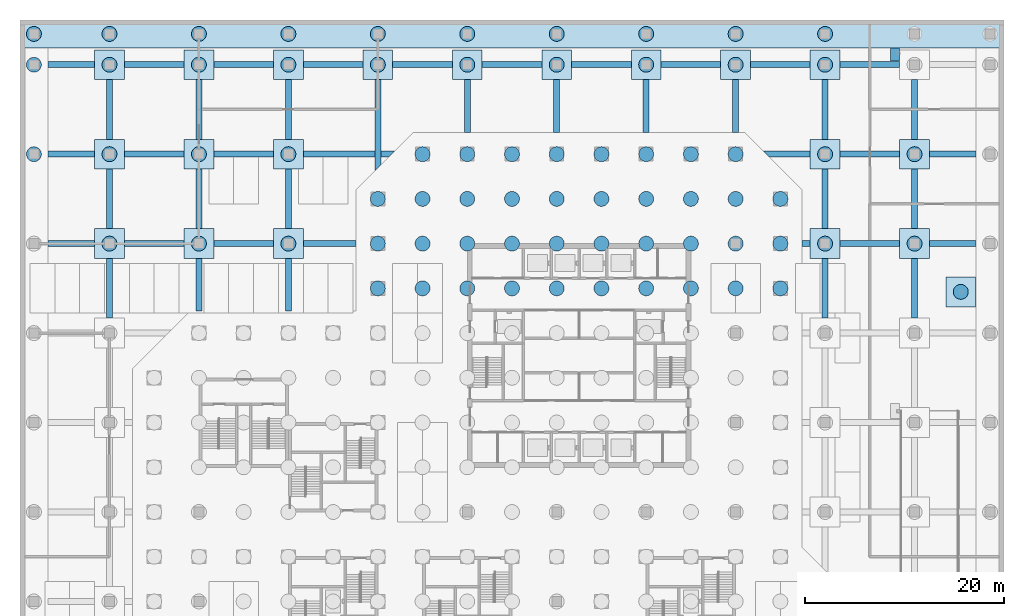
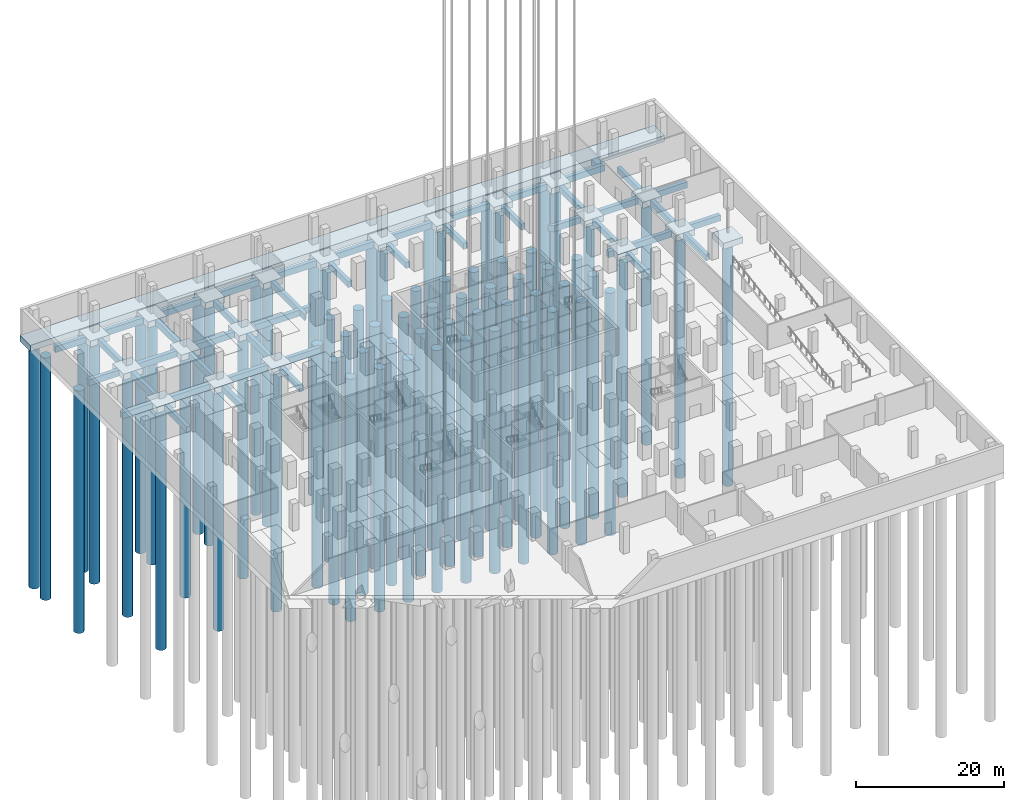
# One storey, part 3 of 37: 70 piles, 67 footings.
"""IFC4 building model written with IfcOpenShell, lengths in metres."""

from ifc_helpers import new_model, si_unit, direction, frame, origin, origin_2d, place, context, subcontext, project, spatial, polyline, rectangle, circle, outline, extrude, material, layer, layer_set, material_profile, profile_set, type_object, element, save


model = new_model("IFC4")

# Units and contexts
model_context = context("Model", 3, precision=1e-05, world=origin(), true_north=direction((0.0, 1.0)))
body_context = subcontext(model_context, "Body", "Model", "MODEL_VIEW")
ifc_project = project(units=[si_unit("LENGTHUNIT", "METRE"), si_unit("AREAUNIT", "SQUARE_METRE"), si_unit("VOLUMEUNIT", "CUBIC_METRE"), si_unit("PLANEANGLEUNIT", "RADIAN"), si_unit("MASSUNIT", "GRAM", prefix="KILO")], contexts=[model_context])

# Site, building, storey
site_placement = place(None, origin())
site = spatial("IfcSite", under=ifc_project, at=site_placement, CompositionType="ELEMENT")
building_placement = place(site_placement, origin())
building = spatial("IfcBuilding", under=site, at=building_placement, Name="Quoin Convention Tower", CompositionType="ELEMENT")
storey_placement = place(building_placement, frame((0.0, 0.0, -9.0)))
storey = spatial("IfcBuildingStorey", under=building, at=storey_placement, Name="B2", CompositionType="ELEMENT", Elevation=-9.0)

# Footings
ifc_material_1 = material(Name="Concrete C50", Category="concrete")
footing_type_1 = type_object("IfcFootingType", Name="PILE CAP 3000x3000x1000 C50", PredefinedType="PILE_CAP", material=ifc_material_1)
for number, where, z_axis, x_axis, name in (
    (1, (9.0, 72.0, -1.39990234375), (0.0, 0.0, 1.0), (1.0, 0.0, 0.0), "ftg-pad-9000_72000"),
    (2, (9.0, 81.0, -1.39990234375), (0.0, 0.0, 1.0), (1.0, 0.0, 0.0), "ftg-pad-9000_81000"),
    (3, (9.0, 90.0, -1.39990234375), (0.0, 0.0, 1.0), (1.0, 0.0, 0.0), "ftg-pad-9000_90000"),
    (4, (18.0, 72.0, -1.39990234375), (0.0, 0.0, 1.0), (1.0, 0.0, 0.0), "ftg-pad-18000_72000"),
    (5, (18.0, 81.0, -1.39990234375), (0.0, 0.0, 1.0), (1.0, 0.0, 0.0), "ftg-pad-18000_81000"),
    (6, (18.0, 90.0, -1.39990234375), (0.0, 0.0, 1.0), (1.0, 0.0, 0.0), "ftg-pad-18000_90000"),
    (7, (27.0, 72.0, -1.39990234375), (0.0, 0.0, 1.0), (1.0, 0.0, 0.0), "ftg-pad-27000_72000"),
    (8, (27.0, 81.0, -1.39990234375), (0.0, 0.0, 1.0), (1.0, 0.0, 0.0), "ftg-pad-27000_81000"),
    (9, (27.0, 90.0, -1.39990234375), (0.0, 0.0, 1.0), (1.0, 0.0, 0.0), "ftg-pad-27000_90000"),
    (10, (36.0, 90.0, -1.39990234375), (0.0, 0.0, 1.0), (1.0, 0.0, 0.0), "ftg-pad-36000_90000"),
    (11, (45.0, 90.0, -1.39990234375), (0.0, 0.0, 1.0), (1.0, 0.0, 0.0), "ftg-pad-45000_90000"),
    (12, (54.0, 90.0, -1.39990234375), (0.0, 0.0, 1.0), (1.0, 0.0, 0.0), "ftg-pad-54000_90000"),
    (13, (63.0, 90.0, -1.39990234375), (0.0, 0.0, 1.0), (1.0, 0.0, 0.0), "ftg-pad-63000_90000"),
    (14, (72.0, 90.0, -1.39990234375), (0.0, 0.0, 1.0), (1.0, 0.0, 0.0), "ftg-pad-72000_90000"),
    (15, (81.0, 72.0, -1.39990234375), (0.0, 0.0, 1.0), (1.0, 0.0, 0.0), "ftg-pad-81000_72000"),
    (16, (81.0, 81.0, -1.39990234375), (0.0, 0.0, 1.0), (1.0, 0.0, 0.0), "ftg-pad-81000_81000"),
    (17, (81.0, 90.0, -1.39990234375), (0.0, 0.0, 1.0), (1.0, 0.0, 0.0), "ftg-pad-81000_90000"),
    (18, (90.0, 72.0, -1.39990234375), (0.0, 0.0, 1.0), (1.0, 0.0, 0.0), "ftg-pad-90000_72000"),
    (19, (90.0, 81.0, -1.39990234375), (0.0, 0.0, 1.0), (1.0, 0.0, 0.0), "ftg-pad-90000_81000"),
    (20, (94.64990234375, 67.14990234375, -1.39990234375), (0.0, 0.0, 1.0), (1.0, 0.0, 0.0), "ftg-pad-rp1lo"),
):
    element("IfcFooting", number, at=place(storey_placement, frame(where, z_axis=z_axis, x_axis=x_axis)), inside=storey, type_object=footing_type_1, Name=name, PredefinedType="PILE_CAP", context=body_context, shape_type="SweptSolid", body=[
        extrude(rectangle(XDim=3.0, YDim=3.0, at=origin_2d()), origin(), (0.0, 0.0, 1.0), 1.0),
    ])

# Piles
ifc_material_2 = material(Name="Concrete C40", Category="concrete")
ifc_material_profile = material_profile(ifc_material_2, circle(Radius=0.75, at=origin_2d()), Name="D1500")
ifc_profile_set = profile_set([ifc_material_profile], Name="Concrete C40")
pile_type = type_object("IfcPileType", Name="PILE D1500 C40", PredefinedType="BORED", material=ifc_profile_set)
for number, where, z_axis, x_axis, name in (
    (21, (36.0, 67.5, -3.39990234375), (0.0, 0.0, -1.0), (1.0, 0.0, 0.0), "pile-R36000_67500"),
    (22, (36.0, 72.0, -3.39990234375), (0.0, 0.0, -1.0), (1.0, 0.0, 0.0), "pile-R36000_72000"),
    (23, (36.0, 76.5, -3.39990234375), (0.0, 0.0, -1.0), (1.0, 0.0, 0.0), "pile-R36000_76500"),
    (24, (40.5, 67.5, -3.39990234375), (0.0, 0.0, -1.0), (1.0, 0.0, 0.0), "pile-R40500_67500"),
    (25, (40.5, 72.0, -3.39990234375), (0.0, 0.0, -1.0), (1.0, 0.0, 0.0), "pile-R40500_72000"),
    (26, (40.5, 76.5, -3.39990234375), (0.0, 0.0, -1.0), (1.0, 0.0, 0.0), "pile-R40500_76500"),
    (27, (40.5, 81.0, -3.39990234375), (0.0, 0.0, -1.0), (1.0, 0.0, 0.0), "pile-R40500_81000"),
    (28, (45.0, 67.5, -3.39990234375), (0.0, 0.0, -1.0), (1.0, 0.0, 0.0), "pile-R45000_67500"),
    (29, (45.0, 72.0, -3.39990234375), (0.0, 0.0, -1.0), (1.0, 0.0, 0.0), "pile-R45000_72000"),
    (30, (45.0, 76.5, -3.39990234375), (0.0, 0.0, -1.0), (1.0, 0.0, 0.0), "pile-R45000_76500"),
    (31, (45.0, 81.0, -3.39990234375), (0.0, 0.0, -1.0), (1.0, 0.0, 0.0), "pile-R45000_81000"),
    (32, (49.5, 67.5, -3.39990234375), (0.0, 0.0, -1.0), (1.0, 0.0, 0.0), "pile-R49500_67500"),
    (33, (49.5, 72.0, -3.39990234375), (0.0, 0.0, -1.0), (1.0, 0.0, 0.0), "pile-R49500_72000"),
    (34, (49.5, 76.5, -3.39990234375), (0.0, 0.0, -1.0), (1.0, 0.0, 0.0), "pile-R49500_76500"),
    (35, (49.5, 81.0, -3.39990234375), (0.0, 0.0, -1.0), (1.0, 0.0, 0.0), "pile-R49500_81000"),
    (36, (54.0, 67.5, -3.39990234375), (0.0, 0.0, -1.0), (1.0, 0.0, 0.0), "pile-R54000_67500"),
    (37, (54.0, 72.0, -3.39990234375), (0.0, 0.0, -1.0), (1.0, 0.0, 0.0), "pile-R54000_72000"),
    (38, (54.0, 76.5, -3.39990234375), (0.0, 0.0, -1.0), (1.0, 0.0, 0.0), "pile-R54000_76500"),
    (39, (54.0, 81.0, -3.39990234375), (0.0, 0.0, -1.0), (1.0, 0.0, 0.0), "pile-R54000_81000"),
    (40, (58.5, 67.5, -3.39990234375), (0.0, 0.0, -1.0), (1.0, 0.0, 0.0), "pile-R58500_67500"),
    (41, (58.5, 72.0, -3.39990234375), (0.0, 0.0, -1.0), (1.0, 0.0, 0.0), "pile-R58500_72000"),
    (42, (58.5, 76.5, -3.39990234375), (0.0, 0.0, -1.0), (1.0, 0.0, 0.0), "pile-R58500_76500"),
    (43, (58.5, 81.0, -3.39990234375), (0.0, 0.0, -1.0), (1.0, 0.0, 0.0), "pile-R58500_81000"),
    (44, (63.0, 67.5, -3.39990234375), (0.0, 0.0, -1.0), (1.0, 0.0, 0.0), "pile-R63000_67500"),
    (45, (63.0, 72.0, -3.39990234375), (0.0, 0.0, -1.0), (1.0, 0.0, 0.0), "pile-R63000_72000"),
    (46, (63.0, 76.5, -3.39990234375), (0.0, 0.0, -1.0), (1.0, 0.0, 0.0), "pile-R63000_76500"),
    (47, (63.0, 81.0, -3.39990234375), (0.0, 0.0, -1.0), (1.0, 0.0, 0.0), "pile-R63000_81000"),
    (48, (67.5, 67.5, -3.39990234375), (0.0, 0.0, -1.0), (1.0, 0.0, 0.0), "pile-R67500_67500"),
    (49, (67.5, 72.0, -3.39990234375), (0.0, 0.0, -1.0), (1.0, 0.0, 0.0), "pile-R67500_72000"),
    (50, (67.5, 76.5, -3.39990234375), (0.0, 0.0, -1.0), (1.0, 0.0, 0.0), "pile-R67500_76500"),
    (51, (67.5, 81.0, -3.39990234375), (0.0, 0.0, -1.0), (1.0, 0.0, 0.0), "pile-R67500_81000"),
    (52, (72.0, 67.5, -3.39990234375), (0.0, 0.0, -1.0), (1.0, 0.0, 0.0), "pile-R72000_67500"),
    (53, (72.0, 72.0, -3.39990234375), (0.0, 0.0, -1.0), (1.0, 0.0, 0.0), "pile-R72000_72000"),
    (54, (72.0, 76.5, -3.39990234375), (0.0, 0.0, -1.0), (1.0, 0.0, 0.0), "pile-R72000_76500"),
    (55, (72.0, 81.0, -3.39990234375), (0.0, 0.0, -1.0), (1.0, 0.0, 0.0), "pile-R72000_81000"),
    (56, (76.5, 67.5, -3.39990234375), (0.0, 0.0, -1.0), (1.0, 0.0, 0.0), "pile-R76500_67500"),
    (57, (76.5, 72.0, -3.39990234375), (0.0, 0.0, -1.0), (1.0, 0.0, 0.0), "pile-R76500_72000"),
    (58, (76.5, 76.5, -3.39990234375), (0.0, 0.0, -1.0), (1.0, 0.0, 0.0), "pile-R76500_76500"),
    (59, (1.39990234375, 81.0, -1.39990234375), (0.0, 0.0, -1.0), (1.0, 0.0, 0.0), "pile-E1400_81000"),
    (60, (1.39990234375, 90.0, -1.39990234375), (0.0, 0.0, -1.0), (1.0, 0.0, 0.0), "pile-E1400_90000"),
    (61, (1.39990234375, 93.10009765625, -1.39990234375), (0.0, 0.0, -1.0), (1.0, 0.0, 0.0), "pile-E1400_93100"),
    (62, (9.0, 93.10009765625, -1.39990234375), (0.0, 0.0, -1.0), (1.0, 0.0, 0.0), "pile-E9000_93100"),
    (63, (18.0, 93.10009765625, -1.39990234375), (0.0, 0.0, -1.0), (1.0, 0.0, 0.0), "pile-E18000_93100"),
    (64, (27.0, 93.10009765625, -1.39990234375), (0.0, 0.0, -1.0), (1.0, 0.0, 0.0), "pile-E27000_93100"),
    (65, (36.0, 93.10009765625, -1.39990234375), (0.0, 0.0, -1.0), (1.0, 0.0, 0.0), "pile-E36000_93100"),
    (66, (45.0, 93.10009765625, -1.39990234375), (0.0, 0.0, -1.0), (1.0, 0.0, 0.0), "pile-E45000_93100"),
    (67, (54.0, 93.10009765625, -1.39990234375), (0.0, 0.0, -1.0), (1.0, 0.0, 0.0), "pile-E54000_93100"),
    (68, (63.0, 93.10009765625, -1.39990234375), (0.0, 0.0, -1.0), (1.0, 0.0, 0.0), "pile-E63000_93100"),
    (69, (72.0, 93.10009765625, -1.39990234375), (0.0, 0.0, -1.0), (1.0, 0.0, 0.0), "pile-E72000_93100"),
    (70, (81.0, 93.10009765625, -1.39990234375), (0.0, 0.0, -1.0), (1.0, 0.0, 0.0), "pile-E81000_93100"),
    (71, (9.0, 72.0, -1.39990234375), (0.0, 0.0, -1.0), (1.0, 0.0, 0.0), "pile-P9000_72000"),
    (72, (9.0, 81.0, -1.39990234375), (0.0, 0.0, -1.0), (1.0, 0.0, 0.0), "pile-P9000_81000"),
    (73, (9.0, 90.0, -1.39990234375), (0.0, 0.0, -1.0), (1.0, 0.0, 0.0), "pile-P9000_90000"),
    (74, (18.0, 72.0, -1.39990234375), (0.0, 0.0, -1.0), (1.0, 0.0, 0.0), "pile-P18000_72000"),
    (75, (18.0, 81.0, -1.39990234375), (0.0, 0.0, -1.0), (1.0, 0.0, 0.0), "pile-P18000_81000"),
    (76, (18.0, 90.0, -1.39990234375), (0.0, 0.0, -1.0), (1.0, 0.0, 0.0), "pile-P18000_90000"),
    (77, (27.0, 72.0, -1.39990234375), (0.0, 0.0, -1.0), (1.0, 0.0, 0.0), "pile-P27000_72000"),
    (78, (27.0, 81.0, -1.39990234375), (0.0, 0.0, -1.0), (1.0, 0.0, 0.0), "pile-P27000_81000"),
    (79, (27.0, 90.0, -1.39990234375), (0.0, 0.0, -1.0), (1.0, 0.0, 0.0), "pile-P27000_90000"),
    (80, (36.0, 90.0, -1.39990234375), (0.0, 0.0, -1.0), (1.0, 0.0, 0.0), "pile-P36000_90000"),
    (81, (45.0, 90.0, -1.39990234375), (0.0, 0.0, -1.0), (1.0, 0.0, 0.0), "pile-P45000_90000"),
    (82, (54.0, 90.0, -1.39990234375), (0.0, 0.0, -1.0), (1.0, 0.0, 0.0), "pile-P54000_90000"),
    (83, (63.0, 90.0, -1.39990234375), (0.0, 0.0, -1.0), (1.0, 0.0, 0.0), "pile-P63000_90000"),
    (84, (72.0, 90.0, -1.39990234375), (0.0, 0.0, -1.0), (1.0, 0.0, 0.0), "pile-P72000_90000"),
    (85, (81.0, 72.0, -1.39990234375), (0.0, 0.0, -1.0), (1.0, 0.0, 0.0), "pile-P81000_72000"),
    (86, (81.0, 81.0, -1.39990234375), (0.0, 0.0, -1.0), (1.0, 0.0, 0.0), "pile-P81000_81000"),
    (87, (81.0, 90.0, -1.39990234375), (0.0, 0.0, -1.0), (1.0, 0.0, 0.0), "pile-P81000_90000"),
    (88, (90.0, 72.0, -1.39990234375), (0.0, 0.0, -1.0), (1.0, 0.0, 0.0), "pile-P90000_72000"),
    (89, (90.0, 81.0, -1.39990234375), (0.0, 0.0, -1.0), (1.0, 0.0, 0.0), "pile-P90000_81000"),
    (90, (94.64990234375, 67.14990234375, -1.39990234375), (0.0, 0.0, -1.0), (1.0, 0.0, 0.0), "pile-Prp1lo"),
):
    element("IfcPile", number, at=place(storey_placement, frame(where, z_axis=z_axis, x_axis=x_axis)), inside=storey, type_object=pile_type, Name=name, PredefinedType="BORED", context=body_context, shape_type="SweptSolid", body=[
        extrude(circle(Radius=0.75, at=origin_2d()), origin(), (0.0, 0.0, 1.0), 40.0),
    ])

# Footings
footing_type_2 = type_object("IfcFootingType", Name="POST FOOTING 900x1300x1000 C50", PredefinedType="PILE_CAP", material=ifc_material_1)
footing_1_placement = place(storey_placement, frame((88.050048828125, 91.050048828125, -1.39990234375), z_axis=(0.0, 0.0, 1.0), x_axis=(1.0, 0.0, 0.0)))
element("IfcFooting", 91, at=footing_1_placement, inside=storey, type_object=footing_type_2, Name="ftg-post-rp1hi", PredefinedType="PILE_CAP", context=body_context, shape_type="SweptSolid", body=[
    extrude(rectangle(XDim=0.89990234375, YDim=1.300048828125, at=origin_2d()), origin(), (0.0, 0.0, 1.0), 1.0),
])
ifc_layer_1 = layer(ifc_material_1, 1.0)
ifc_layer_set_1 = layer_set([ifc_layer_1], Name="Concrete C50")
footing_type_3 = type_object("IfcFootingType", Name="STRIP FOOTING 2800 C50", PredefinedType="STRIP_FOOTING", material=ifc_layer_set_1)
footing_2_placement = place(storey_placement, frame((0.0, 0.0, -1.39990234375)))
element("IfcFooting", 92, at=footing_2_placement, inside=storey, type_object=footing_type_3, Name="ftg-strip-N", PredefinedType="STRIP_FOOTING", context=body_context, shape_type="SweptSolid", body=[
    extrude(outline(polyline([(0.0, 91.699951171875), (99.0, 91.699951171875), (99.0, 94.5), (0.0, 94.5), (0.0, 91.699951171875)])), origin(), (0.0, 0.0, 1.0), 1.0),
])
ifc_layer_2 = layer(ifc_material_1, 1.0)
ifc_layer_set_2 = layer_set([ifc_layer_2], Name="Concrete C50")
footing_type_4 = type_object("IfcFootingType", Name="TIE FOOTING 600 C50", PredefinedType="STRIP_FOOTING", material=ifc_layer_set_2)
footing_3_placement = place(storey_placement, frame((0.0, 0.0, -1.39990234375)))
element("IfcFooting", 93, at=footing_3_placement, inside=storey, type_object=footing_type_4, Name="ftg-tie-9000_67500", PredefinedType="STRIP_FOOTING", context=body_context, shape_type="SweptSolid", body=[
    extrude(outline(polyline([(9.300048828125, 70.5), (9.300048828125, 64.5), (8.699951171875, 64.5), (8.699951171875, 70.5), (9.300048828125, 70.5)])), origin(), (0.0, 0.0, 1.0), 1.0),
])
footing_4_placement = place(storey_placement, frame((0.0, 0.0, -1.39990234375)))
element("IfcFooting", 94, at=footing_4_placement, inside=storey, type_object=footing_type_4, Name="ftg-tie-9000_76500", PredefinedType="STRIP_FOOTING", context=body_context, shape_type="SweptSolid", body=[
    extrude(outline(polyline([(9.300048828125, 79.5), (9.300048828125, 73.5), (8.699951171875, 73.5), (8.699951171875, 79.5), (9.300048828125, 79.5)])), origin(), (0.0, 0.0, 1.0), 1.0),
])
footing_5_placement = place(storey_placement, frame((0.0, 0.0, -1.39990234375)))
element("IfcFooting", 95, at=footing_5_placement, inside=storey, type_object=footing_type_4, Name="ftg-tie-9000_85500", PredefinedType="STRIP_FOOTING", context=body_context, shape_type="SweptSolid", body=[
    extrude(outline(polyline([(9.300048828125, 88.5), (9.300048828125, 82.5), (8.699951171875, 82.5), (8.699951171875, 88.5), (9.300048828125, 88.5)])), origin(), (0.0, 0.0, 1.0), 1.0),
])
footing_6_placement = place(storey_placement, frame((0.0, 0.0, -1.39990234375)))
element("IfcFooting", 96, at=footing_6_placement, inside=storey, type_object=footing_type_4, Name="ftg-tie-18000_67850", PredefinedType="STRIP_FOOTING", context=body_context, shape_type="SweptSolid", body=[
    extrude(outline(polyline([(17.699951171875, 65.199951171875), (17.699951171875, 70.5), (18.300048828125, 70.5), (18.300048828125, 65.199951171875), (17.699951171875, 65.199951171875)])), origin(), (0.0, 0.0, 1.0), 1.0),
])
footing_7_placement = place(storey_placement, frame((0.0, 0.0, -1.39990234375)))
element("IfcFooting", 97, at=footing_7_placement, inside=storey, type_object=footing_type_4, Name="ftg-tie-18000_76500", PredefinedType="STRIP_FOOTING", context=body_context, shape_type="SweptSolid", body=[
    extrude(outline(polyline([(17.699951171875, 73.5), (17.699951171875, 79.5), (18.300048828125, 79.5), (18.300048828125, 73.5), (17.699951171875, 73.5)])), origin(), (0.0, 0.0, 1.0), 1.0),
])
footing_8_placement = place(storey_placement, frame((0.0, 0.0, -1.39990234375)))
element("IfcFooting", 98, at=footing_8_placement, inside=storey, type_object=footing_type_4, Name="ftg-tie-18000_85500", PredefinedType="STRIP_FOOTING", context=body_context, shape_type="SweptSolid", body=[
    extrude(outline(polyline([(17.699951171875, 82.5), (17.699951171875, 88.5), (18.300048828125, 88.5), (18.300048828125, 82.5), (17.699951171875, 82.5)])), origin(), (0.0, 0.0, 1.0), 1.0),
])
footing_9_placement = place(storey_placement, frame((0.0, 0.0, -1.39990234375)))
element("IfcFooting", 99, at=footing_9_placement, inside=storey, type_object=footing_type_4, Name="ftg-tie-27000_67850", PredefinedType="STRIP_FOOTING", context=body_context, shape_type="SweptSolid", body=[
    extrude(outline(polyline([(26.699951171875, 70.5), (27.300048828125, 70.5), (27.300048828125, 65.199951171875), (26.699951171875, 65.199951171875), (26.699951171875, 70.5)])), origin(), (0.0, 0.0, 1.0), 1.0),
])
footing_10_placement = place(storey_placement, frame((0.0, 0.0, -1.39990234375)))
element("IfcFooting", 100, at=footing_10_placement, inside=storey, type_object=footing_type_4, Name="ftg-tie-27000_76500", PredefinedType="STRIP_FOOTING", context=body_context, shape_type="SweptSolid", body=[
    extrude(outline(polyline([(26.699951171875, 79.5), (27.300048828125, 79.5), (27.300048828125, 73.5), (26.699951171875, 73.5), (26.699951171875, 79.5)])), origin(), (0.0, 0.0, 1.0), 1.0),
])
footing_11_placement = place(storey_placement, frame((0.0, 0.0, -1.39990234375)))
element("IfcFooting", 101, at=footing_11_placement, inside=storey, type_object=footing_type_4, Name="ftg-tie-27000_85500", PredefinedType="STRIP_FOOTING", context=body_context, shape_type="SweptSolid", body=[
    extrude(outline(polyline([(26.699951171875, 88.5), (27.300048828125, 88.5), (27.300048828125, 82.5), (26.699951171875, 82.5), (26.699951171875, 88.5)])), origin(), (0.0, 0.0, 1.0), 1.0),
])
footing_12_placement = place(storey_placement, frame((0.0, 0.0, -1.39990234375)))
element("IfcFooting", 102, at=footing_12_placement, inside=storey, type_object=footing_type_4, Name="ftg-tie-35997_84054", PredefinedType="STRIP_FOOTING", context=body_context, shape_type="SweptSolid", body=[
    extrude(outline(polyline([(36.300048828125, 88.5), (36.300048828125, 79.911376953125), (35.699951171875, 79.311279296875), (35.699951171875, 88.5), (36.300048828125, 88.5)])), origin(), (0.0, 0.0, 1.0), 1.0),
])
footing_13_placement = place(storey_placement, frame((0.0, 0.0, -1.39990234375)))
element("IfcFooting", 103, at=footing_13_placement, inside=storey, type_object=footing_type_4, Name="ftg-tie-45000_85850", PredefinedType="STRIP_FOOTING", context=body_context, shape_type="SweptSolid", body=[
    extrude(outline(polyline([(45.300048828125, 88.5), (45.300048828125, 83.199951171875), (44.699951171875, 83.199951171875), (44.699951171875, 88.5), (45.300048828125, 88.5)])), origin(), (0.0, 0.0, 1.0), 1.0),
])
footing_14_placement = place(storey_placement, frame((0.0, 0.0, -1.39990234375)))
element("IfcFooting", 104, at=footing_14_placement, inside=storey, type_object=footing_type_4, Name="ftg-tie-54000_85850", PredefinedType="STRIP_FOOTING", context=body_context, shape_type="SweptSolid", body=[
    extrude(outline(polyline([(54.300048828125, 88.5), (54.300048828125, 83.199951171875), (53.699951171875, 83.199951171875), (53.699951171875, 88.5), (54.300048828125, 88.5)])), origin(), (0.0, 0.0, 1.0), 1.0),
])
footing_15_placement = place(storey_placement, frame((0.0, 0.0, -1.39990234375)))
element("IfcFooting", 105, at=footing_15_placement, inside=storey, type_object=footing_type_4, Name="ftg-tie-63000_85850", PredefinedType="STRIP_FOOTING", context=body_context, shape_type="SweptSolid", body=[
    extrude(outline(polyline([(63.300048828125, 88.5), (63.300048828125, 83.199951171875), (62.699951171875, 83.199951171875), (62.699951171875, 88.5), (63.300048828125, 88.5)])), origin(), (0.0, 0.0, 1.0), 1.0),
])
footing_16_placement = place(storey_placement, frame((0.0, 0.0, -1.39990234375)))
element("IfcFooting", 106, at=footing_16_placement, inside=storey, type_object=footing_type_4, Name="ftg-tie-93850_72000", PredefinedType="STRIP_FOOTING", context=body_context, shape_type="SweptSolid", body=[
    extrude(outline(polyline([(91.5, 71.699951171875), (91.5, 72.300048828125), (96.199951171875, 72.300048828125), (96.199951171875, 71.699951171875), (91.5, 71.699951171875)])), origin(), (0.0, 0.0, 1.0), 1.0),
])
footing_17_placement = place(storey_placement, frame((0.0, 0.0, -1.39990234375)))
element("IfcFooting", 107, at=footing_17_placement, inside=storey, type_object=footing_type_4, Name="ftg-tie-85500_72000", PredefinedType="STRIP_FOOTING", context=body_context, shape_type="SweptSolid", body=[
    extrude(outline(polyline([(82.5, 71.699951171875), (82.5, 72.300048828125), (88.5, 72.300048828125), (88.5, 71.699951171875), (82.5, 71.699951171875)])), origin(), (0.0, 0.0, 1.0), 1.0),
])
footing_18_placement = place(storey_placement, frame((0.0, 0.0, -1.39990234375)))
element("IfcFooting", 108, at=footing_18_placement, inside=storey, type_object=footing_type_4, Name="ftg-tie-79100_72000", PredefinedType="STRIP_FOOTING", context=body_context, shape_type="SweptSolid", body=[
    extrude(outline(polyline([(78.699951171875, 71.699951171875), (78.699951171875, 72.300048828125), (79.5, 72.300048828125), (79.5, 71.699951171875), (78.699951171875, 71.699951171875)])), origin(), (0.0, 0.0, 1.0), 1.0),
])
footing_19_placement = place(storey_placement, frame((0.0, 0.0, -1.39990234375)))
element("IfcFooting", 109, at=footing_19_placement, inside=storey, type_object=footing_type_4, Name="ftg-tie-31150_72000", PredefinedType="STRIP_FOOTING", context=body_context, shape_type="SweptSolid", body=[
    extrude(outline(polyline([(28.5, 71.699951171875), (28.5, 72.300048828125), (33.800048828125, 72.300048828125), (33.800048828125, 71.699951171875), (28.5, 71.699951171875)])), origin(), (0.0, 0.0, 1.0), 1.0),
])
footing_20_placement = place(storey_placement, frame((0.0, 0.0, -1.39990234375)))
element("IfcFooting", 110, at=footing_20_placement, inside=storey, type_object=footing_type_4, Name="ftg-tie-22500_72000", PredefinedType="STRIP_FOOTING", context=body_context, shape_type="SweptSolid", body=[
    extrude(outline(polyline([(19.5, 71.699951171875), (19.5, 72.300048828125), (25.5, 72.300048828125), (25.5, 71.699951171875), (19.5, 71.699951171875)])), origin(), (0.0, 0.0, 1.0), 1.0),
])
footing_21_placement = place(storey_placement, frame((0.0, 0.0, -1.39990234375)))
element("IfcFooting", 111, at=footing_21_placement, inside=storey, type_object=footing_type_4, Name="ftg-tie-13500_72000", PredefinedType="STRIP_FOOTING", context=body_context, shape_type="SweptSolid", body=[
    extrude(outline(polyline([(10.5, 71.699951171875), (10.5, 72.300048828125), (16.5, 72.300048828125), (16.5, 71.699951171875), (10.5, 71.699951171875)])), origin(), (0.0, 0.0, 1.0), 1.0),
])
footing_22_placement = place(storey_placement, frame((0.0, 0.0, -1.39990234375)))
element("IfcFooting", 112, at=footing_22_placement, inside=storey, type_object=footing_type_4, Name="ftg-tie-5150_72000", PredefinedType="STRIP_FOOTING", context=body_context, shape_type="SweptSolid", body=[
    extrude(outline(polyline([(2.800048828125, 71.699951171875), (2.800048828125, 72.300048828125), (7.5, 72.300048828125), (7.5, 71.699951171875), (2.800048828125, 71.699951171875)])), origin(), (0.0, 0.0, 1.0), 1.0),
])
footing_23_placement = place(storey_placement, frame((0.0, 0.0, -1.39990234375)))
element("IfcFooting", 113, at=footing_23_placement, inside=storey, type_object=footing_type_4, Name="ftg-tie-72000_85850", PredefinedType="STRIP_FOOTING", context=body_context, shape_type="SweptSolid", body=[
    extrude(outline(polyline([(71.699951171875, 83.199951171875), (71.699951171875, 88.5), (72.300048828125, 88.5), (72.300048828125, 83.199951171875), (71.699951171875, 83.199951171875)])), origin(), (0.0, 0.0, 1.0), 1.0),
])
footing_24_placement = place(storey_placement, frame((0.0, 0.0, -1.39990234375)))
element("IfcFooting", 114, at=footing_24_placement, inside=storey, type_object=footing_type_4, Name="ftg-tie-93850_81000", PredefinedType="STRIP_FOOTING", context=body_context, shape_type="SweptSolid", body=[
    extrude(outline(polyline([(96.199951171875, 81.300048828125), (96.199951171875, 80.699951171875), (91.5, 80.699951171875), (91.5, 81.300048828125), (96.199951171875, 81.300048828125)])), origin(), (0.0, 0.0, 1.0), 1.0),
])
footing_25_placement = place(storey_placement, frame((0.0, 0.0, -1.39990234375)))
element("IfcFooting", 115, at=footing_25_placement, inside=storey, type_object=footing_type_4, Name="ftg-tie-85500_81000", PredefinedType="STRIP_FOOTING", context=body_context, shape_type="SweptSolid", body=[
    extrude(outline(polyline([(88.5, 81.300048828125), (88.5, 80.699951171875), (82.5, 80.699951171875), (82.5, 81.300048828125), (88.5, 81.300048828125)])), origin(), (0.0, 0.0, 1.0), 1.0),
])
footing_26_placement = place(storey_placement, frame((0.0, 0.0, -1.39990234375)))
element("IfcFooting", 116, at=footing_26_placement, inside=storey, type_object=footing_type_4, Name="ftg-tie-77302_81007", PredefinedType="STRIP_FOOTING", context=body_context, shape_type="SweptSolid", body=[
    extrude(outline(polyline([(79.5, 81.300048828125), (79.5, 80.699951171875), (75.411376953125, 80.699951171875), (74.811279296875, 81.300048828125), (79.5, 81.300048828125)])), origin(), (0.0, 0.0, 1.0), 1.0),
])
footing_27_placement = place(storey_placement, frame((0.0, 0.0, -1.39990234375)))
element("IfcFooting", 117, at=footing_27_placement, inside=storey, type_object=footing_type_4, Name="ftg-tie-36858_81028", PredefinedType="STRIP_FOOTING", context=body_context, shape_type="SweptSolid", body=[
    extrude(outline(polyline([(37.688720703125, 81.300048828125), (37.088623046875, 80.699951171875), (36.300048828125, 80.699951171875), (36.300048828125, 81.300048828125), (37.688720703125, 81.300048828125)])), origin(), (0.0, 0.0, 1.0), 1.0),
])
footing_28_placement = place(storey_placement, frame((0.0, 0.0, -1.39990234375)))
element("IfcFooting", 118, at=footing_28_placement, inside=storey, type_object=footing_type_4, Name="ftg-tie-32100_81000", PredefinedType="STRIP_FOOTING", context=body_context, shape_type="SweptSolid", body=[
    extrude(outline(polyline([(35.699951171875, 81.300048828125), (35.699951171875, 80.699951171875), (28.5, 80.699951171875), (28.5, 81.300048828125), (35.699951171875, 81.300048828125)])), origin(), (0.0, 0.0, 1.0), 1.0),
])
footing_29_placement = place(storey_placement, frame((0.0, 0.0, -1.39990234375)))
element("IfcFooting", 119, at=footing_29_placement, inside=storey, type_object=footing_type_4, Name="ftg-tie-22500_81000", PredefinedType="STRIP_FOOTING", context=body_context, shape_type="SweptSolid", body=[
    extrude(outline(polyline([(25.5, 81.300048828125), (25.5, 80.699951171875), (19.5, 80.699951171875), (19.5, 81.300048828125), (25.5, 81.300048828125)])), origin(), (0.0, 0.0, 1.0), 1.0),
])
footing_30_placement = place(storey_placement, frame((0.0, 0.0, -1.39990234375)))
element("IfcFooting", 120, at=footing_30_placement, inside=storey, type_object=footing_type_4, Name="ftg-tie-13500_81000", PredefinedType="STRIP_FOOTING", context=body_context, shape_type="SweptSolid", body=[
    extrude(outline(polyline([(16.5, 81.300048828125), (16.5, 80.699951171875), (10.5, 80.699951171875), (10.5, 81.300048828125), (16.5, 81.300048828125)])), origin(), (0.0, 0.0, 1.0), 1.0),
])
footing_31_placement = place(storey_placement, frame((0.0, 0.0, -1.39990234375)))
element("IfcFooting", 121, at=footing_31_placement, inside=storey, type_object=footing_type_4, Name="ftg-tie-5150_81000", PredefinedType="STRIP_FOOTING", context=body_context, shape_type="SweptSolid", body=[
    extrude(outline(polyline([(7.5, 81.300048828125), (7.5, 80.699951171875), (2.800048828125, 80.699951171875), (2.800048828125, 81.300048828125), (7.5, 81.300048828125)])), origin(), (0.0, 0.0, 1.0), 1.0),
])
footing_32_placement = place(storey_placement, frame((0.0, 0.0, -1.39990234375)))
element("IfcFooting", 122, at=footing_32_placement, inside=storey, type_object=footing_type_4, Name="ftg-tie-81000_67500", PredefinedType="STRIP_FOOTING", context=body_context, shape_type="SweptSolid", body=[
    extrude(outline(polyline([(81.300048828125, 64.5), (80.699951171875, 64.5), (80.699951171875, 70.5), (81.300048828125, 70.5), (81.300048828125, 64.5)])), origin(), (0.0, 0.0, 1.0), 1.0),
])
footing_33_placement = place(storey_placement, frame((0.0, 0.0, -1.39990234375)))
element("IfcFooting", 123, at=footing_33_placement, inside=storey, type_object=footing_type_4, Name="ftg-tie-81000_76500", PredefinedType="STRIP_FOOTING", context=body_context, shape_type="SweptSolid", body=[
    extrude(outline(polyline([(81.300048828125, 73.5), (80.699951171875, 73.5), (80.699951171875, 79.5), (81.300048828125, 79.5), (81.300048828125, 73.5)])), origin(), (0.0, 0.0, 1.0), 1.0),
])
footing_34_placement = place(storey_placement, frame((0.0, 0.0, -1.39990234375)))
element("IfcFooting", 124, at=footing_34_placement, inside=storey, type_object=footing_type_4, Name="ftg-tie-81000_85500", PredefinedType="STRIP_FOOTING", context=body_context, shape_type="SweptSolid", body=[
    extrude(outline(polyline([(81.300048828125, 82.5), (80.699951171875, 82.5), (80.699951171875, 88.5), (81.300048828125, 88.5), (81.300048828125, 82.5)])), origin(), (0.0, 0.0, 1.0), 1.0),
])
footing_35_placement = place(storey_placement, frame((0.0, 0.0, -1.39990234375)))
element("IfcFooting", 125, at=footing_35_placement, inside=storey, type_object=footing_type_4, Name="ftg-tie-85500_90000", PredefinedType="STRIP_FOOTING", context=body_context, shape_type="SweptSolid", body=[
    extrude(outline(polyline([(88.5, 89.699951171875), (82.5, 89.699951171875), (82.5, 90.300048828125), (88.5, 90.300048828125), (88.5, 89.699951171875)])), origin(), (0.0, 0.0, 1.0), 1.0),
])
footing_36_placement = place(storey_placement, frame((0.0, 0.0, -1.39990234375)))
element("IfcFooting", 126, at=footing_36_placement, inside=storey, type_object=footing_type_4, Name="ftg-tie-76500_90000", PredefinedType="STRIP_FOOTING", context=body_context, shape_type="SweptSolid", body=[
    extrude(outline(polyline([(79.5, 89.699951171875), (73.5, 89.699951171875), (73.5, 90.300048828125), (79.5, 90.300048828125), (79.5, 89.699951171875)])), origin(), (0.0, 0.0, 1.0), 1.0),
])
footing_37_placement = place(storey_placement, frame((0.0, 0.0, -1.39990234375)))
element("IfcFooting", 127, at=footing_37_placement, inside=storey, type_object=footing_type_4, Name="ftg-tie-67500_90000", PredefinedType="STRIP_FOOTING", context=body_context, shape_type="SweptSolid", body=[
    extrude(outline(polyline([(70.5, 89.699951171875), (64.5, 89.699951171875), (64.5, 90.300048828125), (70.5, 90.300048828125), (70.5, 89.699951171875)])), origin(), (0.0, 0.0, 1.0), 1.0),
])
footing_38_placement = place(storey_placement, frame((0.0, 0.0, -1.39990234375)))
element("IfcFooting", 128, at=footing_38_placement, inside=storey, type_object=footing_type_4, Name="ftg-tie-58500_90000", PredefinedType="STRIP_FOOTING", context=body_context, shape_type="SweptSolid", body=[
    extrude(outline(polyline([(61.5, 89.699951171875), (55.5, 89.699951171875), (55.5, 90.300048828125), (61.5, 90.300048828125), (61.5, 89.699951171875)])), origin(), (0.0, 0.0, 1.0), 1.0),
])
footing_39_placement = place(storey_placement, frame((0.0, 0.0, -1.39990234375)))
element("IfcFooting", 129, at=footing_39_placement, inside=storey, type_object=footing_type_4, Name="ftg-tie-49500_90000", PredefinedType="STRIP_FOOTING", context=body_context, shape_type="SweptSolid", body=[
    extrude(outline(polyline([(52.5, 89.699951171875), (46.5, 89.699951171875), (46.5, 90.300048828125), (52.5, 90.300048828125), (52.5, 89.699951171875)])), origin(), (0.0, 0.0, 1.0), 1.0),
])
footing_40_placement = place(storey_placement, frame((0.0, 0.0, -1.39990234375)))
element("IfcFooting", 130, at=footing_40_placement, inside=storey, type_object=footing_type_4, Name="ftg-tie-40500_90000", PredefinedType="STRIP_FOOTING", context=body_context, shape_type="SweptSolid", body=[
    extrude(outline(polyline([(43.5, 89.699951171875), (37.5, 89.699951171875), (37.5, 90.300048828125), (43.5, 90.300048828125), (43.5, 89.699951171875)])), origin(), (0.0, 0.0, 1.0), 1.0),
])
footing_41_placement = place(storey_placement, frame((0.0, 0.0, -1.39990234375)))
element("IfcFooting", 131, at=footing_41_placement, inside=storey, type_object=footing_type_4, Name="ftg-tie-31500_90000", PredefinedType="STRIP_FOOTING", context=body_context, shape_type="SweptSolid", body=[
    extrude(outline(polyline([(34.5, 89.699951171875), (28.5, 89.699951171875), (28.5, 90.300048828125), (34.5, 90.300048828125), (34.5, 89.699951171875)])), origin(), (0.0, 0.0, 1.0), 1.0),
])
footing_42_placement = place(storey_placement, frame((0.0, 0.0, -1.39990234375)))
element("IfcFooting", 132, at=footing_42_placement, inside=storey, type_object=footing_type_4, Name="ftg-tie-22500_90000", PredefinedType="STRIP_FOOTING", context=body_context, shape_type="SweptSolid", body=[
    extrude(outline(polyline([(25.5, 89.699951171875), (19.5, 89.699951171875), (19.5, 90.300048828125), (25.5, 90.300048828125), (25.5, 89.699951171875)])), origin(), (0.0, 0.0, 1.0), 1.0),
])
footing_43_placement = place(storey_placement, frame((0.0, 0.0, -1.39990234375)))
element("IfcFooting", 133, at=footing_43_placement, inside=storey, type_object=footing_type_4, Name="ftg-tie-13500_90000", PredefinedType="STRIP_FOOTING", context=body_context, shape_type="SweptSolid", body=[
    extrude(outline(polyline([(16.5, 89.699951171875), (10.5, 89.699951171875), (10.5, 90.300048828125), (16.5, 90.300048828125), (16.5, 89.699951171875)])), origin(), (0.0, 0.0, 1.0), 1.0),
])
footing_44_placement = place(storey_placement, frame((0.0, 0.0, -1.39990234375)))
element("IfcFooting", 134, at=footing_44_placement, inside=storey, type_object=footing_type_4, Name="ftg-tie-5150_90000", PredefinedType="STRIP_FOOTING", context=body_context, shape_type="SweptSolid", body=[
    extrude(outline(polyline([(7.5, 89.699951171875), (2.800048828125, 89.699951171875), (2.800048828125, 90.300048828125), (7.5, 90.300048828125), (7.5, 89.699951171875)])), origin(), (0.0, 0.0, 1.0), 1.0),
])
footing_45_placement = place(storey_placement, frame((0.0, 0.0, -1.39990234375)))
element("IfcFooting", 135, at=footing_45_placement, inside=storey, type_object=footing_type_4, Name="ftg-tie-90000_67500", PredefinedType="STRIP_FOOTING", context=body_context, shape_type="SweptSolid", body=[
    extrude(outline(polyline([(90.300048828125, 64.5), (89.699951171875, 64.5), (89.699951171875, 70.5), (90.300048828125, 70.5), (90.300048828125, 64.5)])), origin(), (0.0, 0.0, 1.0), 1.0),
])
footing_46_placement = place(storey_placement, frame((0.0, 0.0, -1.39990234375)))
element("IfcFooting", 136, at=footing_46_placement, inside=storey, type_object=footing_type_4, Name="ftg-tie-90000_76500", PredefinedType="STRIP_FOOTING", context=body_context, shape_type="SweptSolid", body=[
    extrude(outline(polyline([(90.300048828125, 73.5), (89.699951171875, 73.5), (89.699951171875, 79.5), (90.300048828125, 79.5), (90.300048828125, 73.5)])), origin(), (0.0, 0.0, 1.0), 1.0),
])
footing_47_placement = place(storey_placement, frame((0.0, 0.0, -1.39990234375)))
element("IfcFooting", 137, at=footing_47_placement, inside=storey, type_object=footing_type_4, Name="ftg-tie-90000_85500", PredefinedType="STRIP_FOOTING", context=body_context, shape_type="SweptSolid", body=[
    extrude(outline(polyline([(90.300048828125, 82.5), (89.699951171875, 82.5), (89.699951171875, 88.5), (90.300048828125, 88.5), (90.300048828125, 82.5)])), origin(), (0.0, 0.0, 1.0), 1.0),
])

save(model, "model.ifc")
